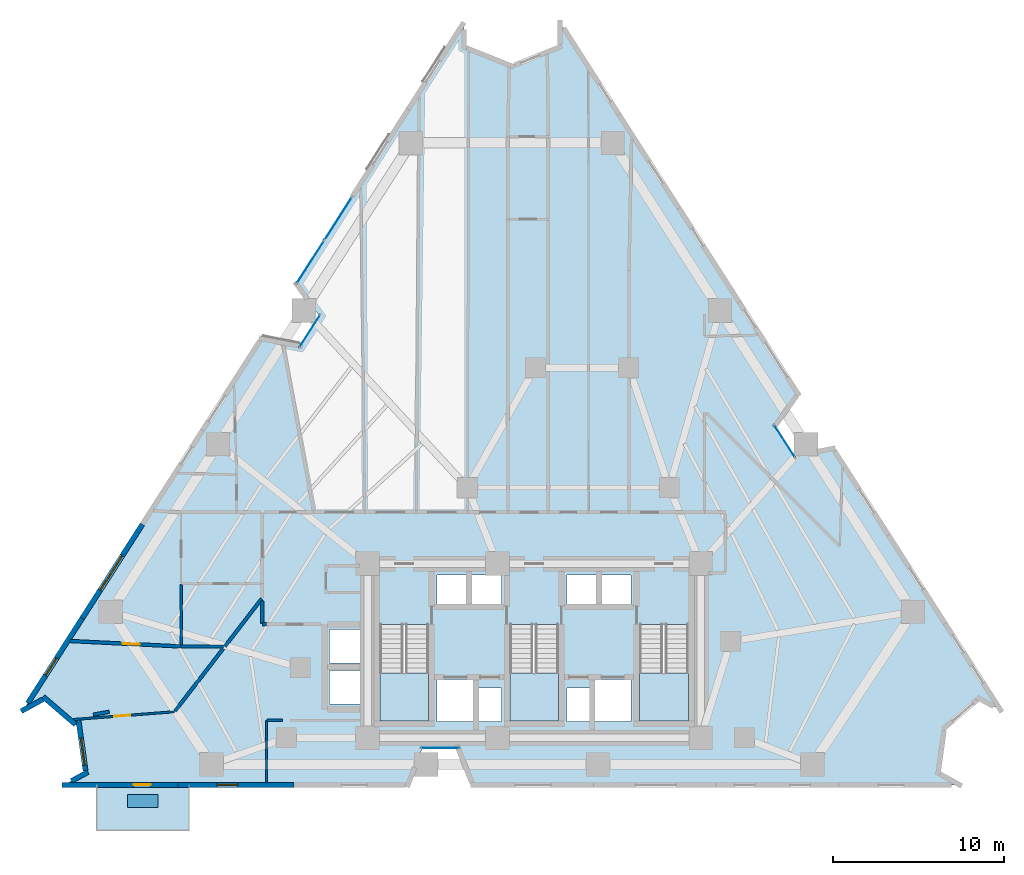
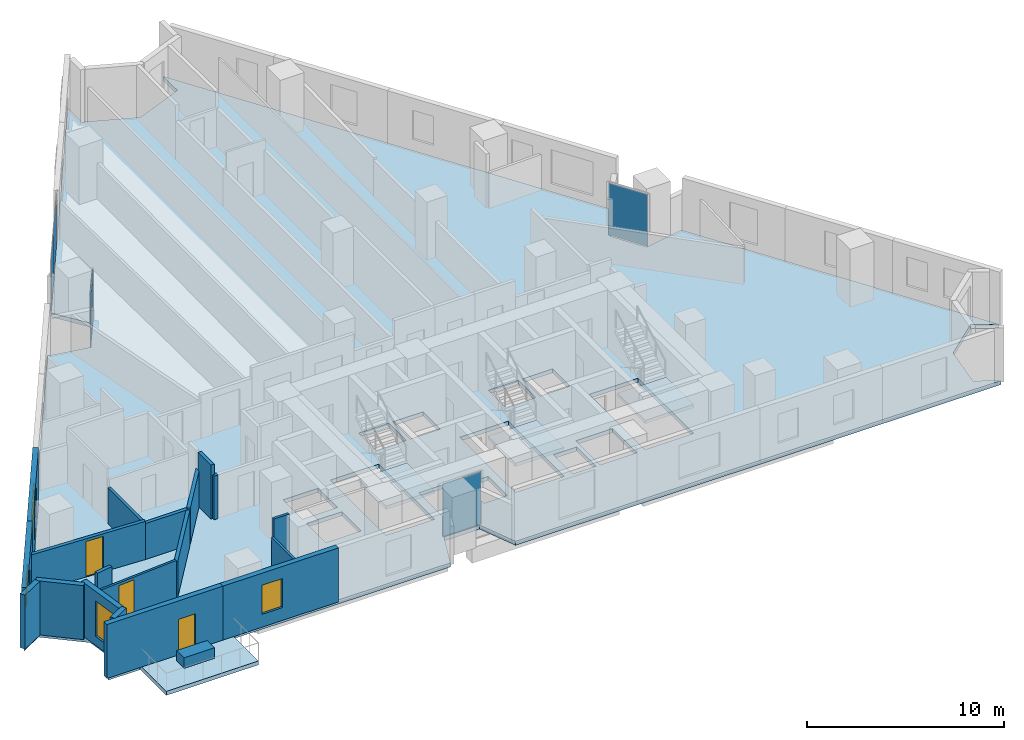
# One storey, part 7 of 15: 19 walls, 6 plates, 5 slabs, 4 windows, 3 doors, 7 openings, 7 elements without a shape of their own.
"""IFC4 building model written with IfcOpenShell, lengths in metres."""

import ifcopenshell
import ifcopenshell.guid

model = None  # the IFC model being written
_history = None  # IfcOwnerHistory: only IFC2X3 demands one
_inside = {}  # id of a spatial element -> (the spatial element, [elements in it])
_under = {}  # id of a project, library or spatial element -> (it, [spatial elements below it])
_declared = {}  # id of a project -> (the project, [libraries it declares])
_typed = {}  # id of a type object -> (the type object, [elements of that type])
_made_of = {}  # id of a material, layer set ... -> (it, [elements and type objects made of it])


def new_model(schema):
    """Start an empty IFC model of exactly this schema.

    Asked for "IFC4X3", IfcOpenShell would pick the latest addendum, in which some entities
    have other attributes; the version numbers below select the first issue.
    IFC2X3 requires an IfcOwnerHistory on every rooted entity: one is made here for all.
    """
    global model, _history
    if schema == "IFC4X3":
        model = ifcopenshell.file(schema_version=(4, 3, 0, 0))
    else:
        model = ifcopenshell.file(schema=schema)
    _inside.clear()
    _under.clear()
    _declared.clear()
    _typed.clear()
    _made_of.clear()
    _history = None
    if model.schema == "IFC2X3":
        org = make("IfcOrganization", Name="unknown")
        user = make(
            "IfcPersonAndOrganization",
            ThePerson=make("IfcPerson", FamilyName="unknown"),
            TheOrganization=org,
        )
        app = make(
            "IfcApplication",
            ApplicationDeveloper=org,
            Version="unknown",
            ApplicationFullName="unknown",
            ApplicationIdentifier="unknown",
        )
        _history = make(
            "IfcOwnerHistory",
            OwningUser=user,
            OwningApplication=app,
            ChangeAction="ADDED",
            CreationDate=0,
        )
    return model


def make(cls, **values):
    """One entity of the class cls with the attributes given. An attribute that is None is left unset."""
    return model.create_entity(
        cls, **{name: value for name, value in values.items() if value is not None}
    )


def rooted(cls, **values):
    """An entity with a GlobalId (a new one), such as an element, a storey or a relation."""
    return make(cls, GlobalId=ifcopenshell.guid.new(), OwnerHistory=_history, **values)


def si_unit(unit_type, name, prefix=None):
    """IfcSIUnit, for example si_unit("LENGTHUNIT", "METRE", prefix="MILLI")."""
    return make("IfcSIUnit", UnitType=unit_type, Prefix=prefix, Name=name)


def assignment(units):
    """IfcUnitAssignment: the units of a project."""
    return None if units is None else make("IfcUnitAssignment", Units=units)


def point(xyz):
    """IfcCartesianPoint."""
    return None if xyz is None else make("IfcCartesianPoint", Coordinates=xyz)


def direction(xyz):
    """IfcDirection."""
    return None if xyz is None else make("IfcDirection", DirectionRatios=xyz)


def frame(location, z_axis=None, x_axis=None):
    """IfcAxis2Placement3D, a coordinate frame: its origin and axes. An axis left out is left unset."""
    return make(
        "IfcAxis2Placement3D",
        Location=point(location),
        Axis=direction(z_axis),
        RefDirection=direction(x_axis),
    )


def frame_2d(location, x_axis=None):
    """IfcAxis2Placement2D, a coordinate frame in the plane: its origin and x axis."""
    return make(
        "IfcAxis2Placement2D", Location=point(location), RefDirection=direction(x_axis)
    )


def origin():
    """The frame at (0, 0, 0) with its axes left unset."""
    return frame((0.0, 0.0, 0.0))


def origin_2d():
    """The frame at (0, 0) in the plane with its x axis left unset."""
    return frame_2d((0.0, 0.0))


def place(relative_to, where):
    """IfcLocalPlacement: puts the frame where relative to a parent placement (None: the world)."""
    return make(
        "IfcLocalPlacement", PlacementRelTo=relative_to, RelativePlacement=where
    )


def context(
    kind, dimensions, precision=None, world=None, true_north=None, identifier=None
):
    """IfcGeometricRepresentationContext, for example the 3D "Model" context."""
    return make(
        "IfcGeometricRepresentationContext",
        ContextIdentifier=identifier,
        ContextType=kind,
        CoordinateSpaceDimension=dimensions,
        Precision=precision,
        WorldCoordinateSystem=world,
        TrueNorth=true_north,
    )


def subcontext(parent, identifier, kind, view, scale=None):
    """IfcGeometricRepresentationSubContext, for example "Body" below "Model"."""
    return make(
        "IfcGeometricRepresentationSubContext",
        ContextIdentifier=identifier,
        ContextType=kind,
        ParentContext=parent,
        TargetScale=scale,
        TargetView=view,
    )


def project(units=None, contexts=None):
    """IfcProject with its units and contexts."""
    return rooted(
        "IfcProject",
        Name="project",
        RepresentationContexts=contexts,
        UnitsInContext=assignment(units),
    )


def spatial(cls, under=None, at=None, **own):
    """A site, building, storey or space (cls), placed at a placement, below another one or the project."""
    s = rooted(cls, ObjectPlacement=at, **own)
    if under is not None:
        _under.setdefault(under.id(), (under, []))[1].append(s)
    return s


def polyline(points):
    """IfcPolyline through the points."""
    return make("IfcPolyline", Points=[point(p) for p in points])


def profile(cls, at=None, kind="AREA", **sizes):
    """A parametric profile (cls). Its sizes go by their IFC names, for example OverallWidth=200.0."""
    return make(cls, ProfileType=kind, Position=at, **sizes)


def rectangle(**sizes):
    """IfcRectangleProfileDef."""
    return profile("IfcRectangleProfileDef", **sizes)


def outline(outer, holes=None, kind="AREA"):
    """IfcArbitraryClosedProfileDef: a profile drawn as a closed curve; with holes, ...WithVoids."""
    if holes is None:
        return make("IfcArbitraryClosedProfileDef", ProfileType=kind, OuterCurve=outer)
    return make(
        "IfcArbitraryProfileDefWithVoids",
        ProfileType=kind,
        OuterCurve=outer,
        InnerCurves=holes,
    )


def extrude(swept, where, along, depth):
    """IfcExtrudedAreaSolid: the profile swept, set in the frame where, extruded along a direction by depth."""
    return make(
        "IfcExtrudedAreaSolid",
        SweptArea=swept,
        Position=where,
        ExtrudedDirection=direction(along),
        Depth=depth,
    )


def shape(context_of_items, identifier, shape_type, items):
    """IfcShapeRepresentation: the items that make up one representation, for example the "Body"."""
    return make(
        "IfcShapeRepresentation",
        ContextOfItems=context_of_items,
        RepresentationIdentifier=identifier,
        RepresentationType=shape_type,
        Items=items,
    )


def material(Name=None, Category=None):
    """IfcMaterial."""
    return make("IfcMaterial", Name=Name, Category=Category)


def layer(
    of_material, thickness, ventilated=None, Name=None, Category=None, Priority=None
):
    """IfcMaterialLayer: one layer of a wall or slab, of a material (None: an air gap)."""
    return make(
        "IfcMaterialLayer",
        Material=of_material,
        LayerThickness=thickness,
        IsVentilated=ventilated,
        Name=Name,
        Category=Category,
        Priority=Priority,
    )


def layer_set(layers, Name=None):
    """IfcMaterialLayerSet."""
    return make("IfcMaterialLayerSet", MaterialLayers=layers, LayerSetName=Name)


def made_of(thing, what):
    """Note that an element or type object is made of a material, layer set ...; save() writes the relation."""
    if what is not None:
        _made_of.setdefault(what.id(), (what, []))[1].append(thing)
    return thing


def type_object(cls, material=None, **own):
    """A type object (cls), such as IfcWallType, which elements share."""
    return made_of(rooted(cls, **own), material)


def element(
    cls,
    number,
    at=None,
    inside=None,
    cuts=None,
    type_object=None,
    material=None,
    context=None,
    identifier="Body",
    shape_type=None,
    held_by="IfcProductDefinitionShape",
    body=None,
    shapes=None,
    **own,
):
    """One element of the class cls, such as IfcWall. Its Tag is "e" and its number.

    at: its placement. inside: the storey or other place that contains it. cuts: it is an
    opening in that element (IfcRelVoidsElement). A single representation is given by context,
    identifier, shape_type and body (its items); several are given by shapes. held_by: the class
    of the entity that holds the representations. save() writes the other relations.
    """
    e = rooted(cls, Tag="e%d" % number, ObjectPlacement=at, **own)
    if body is not None:
        shapes = [shape(context, identifier, shape_type, body)]
    if shapes is not None:
        e.Representation = make(held_by, Representations=shapes)
    if inside is not None:
        _inside.setdefault(inside.id(), (inside, []))[1].append(e)
    if cuts is not None:
        rooted(
            "IfcRelVoidsElement", RelatingBuildingElement=cuts, RelatedOpeningElement=e
        )
    if type_object is not None:
        _typed.setdefault(type_object.id(), (type_object, []))[1].append(e)
    return made_of(e, material)


def fill(opening, filler):
    """IfcRelFillsElement: the door or window that sits in an opening."""
    return rooted(
        "IfcRelFillsElement",
        RelatingOpeningElement=opening,
        RelatedBuildingElement=filler,
    )


def aggregate(whole, parts):
    """IfcRelAggregates: a whole, such as a stair, and the parts it consists of."""
    return rooted("IfcRelAggregates", RelatingObject=whole, RelatedObjects=parts)


def save(model, path):
    """Write the relations noted so far, then the file.

    IfcRelAggregates (storeys below a building ...), IfcRelContainedInSpatialStructure (elements
    in a storey), IfcRelDefinesByType, IfcRelAssociatesMaterial and IfcRelDeclares: one each for
    every whole, place, type object, material and project.
    """
    for whole, parts in _under.values():
        aggregate(whole, parts)
    for where, things in _inside.values():
        rooted(
            "IfcRelContainedInSpatialStructure",
            RelatedElements=things,
            RelatingStructure=where,
        )
    for kind, things in _typed.values():
        rooted("IfcRelDefinesByType", RelatedObjects=things, RelatingType=kind)
    for what, things in _made_of.values():
        rooted("IfcRelAssociatesMaterial", RelatedObjects=things, RelatingMaterial=what)
    for by, libraries in _declared.values():
        rooted("IfcRelDeclares", RelatingContext=by, RelatedDefinitions=libraries)
    model.write(path)


model = new_model("IFC4")

# Units and contexts
model_context = context("Model", 3, precision=1e-05, world=origin(), true_north=direction((0.0, 1.0)))
body_context = subcontext(model_context, "Body", "Model", "MODEL_VIEW")
ifc_project = project(units=[si_unit("LENGTHUNIT", "METRE"), si_unit("AREAUNIT", "SQUARE_METRE"), si_unit("VOLUMEUNIT", "CUBIC_METRE"), si_unit("PLANEANGLEUNIT", "RADIAN"), si_unit("MASSUNIT", "GRAM", prefix="KILO")], contexts=[model_context])

# Site, building, storey
site_placement = place(None, origin())
site = spatial("IfcSite", under=ifc_project, at=site_placement, CompositionType="ELEMENT")
building_placement = place(site_placement, origin())
building = spatial("IfcBuilding", under=site, at=building_placement, Name="Almagre Mirador Tower", CompositionType="ELEMENT")
storey_placement = place(building_placement, frame((0.0, 0.0, 31.800048828125)))
storey = spatial("IfcBuildingStorey", under=building, at=storey_placement, Name="L06", CompositionType="ELEMENT", Elevation=31.800048828125)

# Curtain wall, plate
ifc_material_1 = material(Name="Black anodized aluminium", Category="aluminium")
ifc_layer_1 = layer(ifc_material_1, 0.169921875)
ifc_layer_set_1 = layer_set([ifc_layer_1], Name="Black anodized aluminium")
curtain_wall_type_1 = type_object("IfcCurtainWallType", Name="CW-CRS-SYS", PredefinedType="NOTDEFINED", material=ifc_layer_set_1)
curtain_wall_1_placement = place(storey_placement, origin())
curtain_wall_1 = element("IfcCurtainWall", 1, at=curtain_wall_1_placement, inside=storey, type_object=curtain_wall_type_1, Name="L06 vertical crease curtain wall 01", PredefinedType="NOTDEFINED")
ifc_material_2 = material(Name="Dark solar-control laminated hurricane glass", Category="glass")
ifc_layer_2 = layer(ifc_material_2, 0.028076171875)
ifc_layer_set_2 = layer_set([ifc_layer_2], Name="Dark solar-control laminated hurricane glass")
plate_type_1 = type_object("IfcPlateType", Name="PLT-GLZ-28", PredefinedType="CURTAIN_PANEL", material=ifc_layer_set_2)
plate_1_placement = place(storey_placement, frame((24.173095703125, 28.359619140625, 0.06005859375), z_axis=(0.0, 0.0, 1.0), x_axis=(0.539848636718, 0.841762109764, 0.0)))
plate_1 = element("IfcPlate", 2, at=plate_1_placement, type_object=plate_type_1, Name="CW-4 panel 1.1", PredefinedType="CURTAIN_PANEL", context=body_context, shape_type="SweptSolid", body=[
    extrude(rectangle(XDim=2.24951171875, YDim=0.028076171875, at=origin_2d()), origin(), (0.0, 0.0, 1.0), 3.22998046875),
])
aggregate(curtain_wall_1, [plate_1])

curtain_wall_2_placement = place(storey_placement, origin())
curtain_wall_2 = element("IfcCurtainWall", 3, at=curtain_wall_2_placement, inside=storey, type_object=curtain_wall_type_1, Name="L06 vertical crease curtain wall 03", PredefinedType="NOTDEFINED")
plate_2_placement = place(storey_placement, frame((51.952880859375, 21.92041015625, 0.06005859375), z_axis=(0.0, 0.0, 1.0), x_axis=(0.539848636718, -0.841762109764, 0.0)))
plate_2 = element("IfcPlate", 4, at=plate_2_placement, type_object=plate_type_1, Name="CW-4 panel 1.1", PredefinedType="CURTAIN_PANEL", context=body_context, shape_type="SweptSolid", body=[
    extrude(rectangle(XDim=2.24951171875, YDim=0.028076171875, at=origin_2d()), origin(), (0.0, 0.0, 1.0), 3.22998046875),
])
aggregate(curtain_wall_2, [plate_2])

curtain_wall_3_placement = place(storey_placement, origin())
curtain_wall_3 = element("IfcCurtainWall", 5, at=curtain_wall_3_placement, inside=storey, type_object=curtain_wall_type_1, Name="L06 vertical crease curtain wall 04", PredefinedType="NOTDEFINED")
plate_3_placement = place(storey_placement, frame((31.80810546875, 3.949951171875, 0.06005859375), z_axis=(0.0, 0.0, 1.0), x_axis=(-1.0, 0.0, 0.0)))
plate_3 = element("IfcPlate", 6, at=plate_3_placement, type_object=plate_type_1, Name="CW-4 panel 1.1", PredefinedType="CURTAIN_PANEL", context=body_context, shape_type="SweptSolid", body=[
    extrude(rectangle(XDim=2.25, YDim=0.028076171875, at=origin_2d()), origin(), (0.0, 0.0, 1.0), 3.22998046875),
])
aggregate(curtain_wall_3, [plate_3])

# Curtain wall, plates
ifc_material_3 = material(Name="Black anodized aluminium", Category="aluminium")
ifc_layer_3 = layer(ifc_material_3, 0.18994140625)
ifc_layer_set_3 = layer_set([ifc_layer_3], Name="Black anodized aluminium")
curtain_wall_type_2 = type_object("IfcCurtainWallType", Name="CW-RES-L-SYS", PredefinedType="NOTDEFINED", material=ifc_layer_set_3)
curtain_wall_4_placement = place(storey_placement, origin())
curtain_wall_4 = element("IfcCurtainWall", 7, at=curtain_wall_4_placement, inside=storey, type_object=curtain_wall_type_2, Name="L06 curtain wall run 02", PredefinedType="NOTDEFINED")
ifc_material_4 = material(Name="Dark solar-control laminated hurricane glass", Category="glass")
ifc_layer_4 = layer(ifc_material_4, 0.031982421875)
ifc_layer_set_4 = layer_set([ifc_layer_4], Name="Dark solar-control laminated hurricane glass")
plate_type_2 = type_object("IfcPlateType", Name="PLT-GLZ-32", PredefinedType="CURTAIN_PANEL", material=ifc_layer_set_4)
plate_4_placement = place(storey_placement, frame((24.2138671875, 32.407958984375, 0.06005859375), z_axis=(0.0, 0.0, 1.0), x_axis=(0.539529022287, 0.841967002982, 0.0)))
plate_4 = element("IfcPlate", 8, at=plate_4_placement, type_object=plate_type_2, Name="CW-2 panel 1.1", PredefinedType="CURTAIN_PANEL", context=body_context, shape_type="SweptSolid", body=[
    extrude(rectangle(XDim=2.931640625, YDim=0.031982421875, at=origin_2d()), origin(), (0.0, 0.0, 1.0), 3.22998046875),
])
plate_5_placement = place(storey_placement, frame((25.830810546875, 34.93115234375, 0.06005859375), z_axis=(0.0, 0.0, 1.0), x_axis=(0.539529022287, 0.841967002982, 0.0)))
plate_5 = element("IfcPlate", 9, at=plate_5_placement, type_object=plate_type_2, Name="CW-2 panel 2.1", PredefinedType="CURTAIN_PANEL", context=body_context, shape_type="SweptSolid", body=[
    extrude(rectangle(XDim=2.931640625, YDim=0.031982421875, at=origin_2d()), origin(), (0.0, 0.0, 1.0), 3.22998046875),
])
aggregate(curtain_wall_4, [plate_4, plate_5])

# Plate
ifc_material_5 = material(Name="Precast concrete C50/60", Category="concrete")
ifc_layer_5 = layer(ifc_material_5, 0.64990234375)
ifc_layer_set_5 = layer_set([ifc_layer_5], Name="Precast concrete C50/60")
plate_type_3 = type_object("IfcPlateType", Name="PLT-PLANTER-1800", PredefinedType="USERDEFINED", material=ifc_layer_set_5)
plate_6_placement = place(storey_placement, frame((14.39990234375, 0.85009765625, 0.0), z_axis=(0.0, 0.0, 1.0), x_axis=(1.0, 0.0, 0.0)))
element("IfcPlate", 10, at=plate_6_placement, inside=storey, type_object=plate_type_3, Name="L06 south balcony structural tree planter 1", ObjectType="PLANTER", PredefinedType="USERDEFINED", context=body_context, shape_type="SweptSolid", body=[
    extrude(rectangle(XDim=1.800048828125, YDim=0.75, at=origin_2d()), origin(), (0.0, 0.0, 1.0), 0.64990234375),
])

# Slabs
ifc_material_6 = material(Name="Concrete C45/55", Category="concrete")
ifc_layer_6 = layer(ifc_material_6, 0.239990234375)
ifc_layer_set_6 = layer_set([ifc_layer_6], Name="Concrete C45/55")
slab_type_1 = type_object("IfcSlabType", Name="SLB-BAL-240", PredefinedType="USERDEFINED", material=ifc_layer_set_6)
slab_1_placement = place(storey_placement, frame((0.0, 0.0, -0.239990234375)))
element("IfcSlab", 11, at=slab_1_placement, inside=storey, type_object=slab_type_1, Name="L06 south planted tree balcony 1", ObjectType="BALCONY", PredefinedType="USERDEFINED", context=body_context, shape_type="SweptSolid", body=[
    extrude(outline(polyline([(11.699951171875, 1.820068359375), (17.10009765625, 1.820068359375), (17.10009765625, -0.85009765625), (11.699951171875, -0.85009765625), (11.699951171875, 1.820068359375)])), origin(), (0.0, 0.0, 1.0), 0.239990234375),
])
ifc_material_7 = material(Name="Concrete C45/55", Category="concrete")
ifc_layer_7 = layer(ifc_material_7, 0.25)
ifc_layer_set_7 = layer_set([ifc_layer_7], Name="Concrete C45/55")
slab_type_2 = type_object("IfcSlabType", Name="SLB-FLR-250", PredefinedType="FLOOR", material=ifc_layer_set_7)
slab_2_placement = place(storey_placement, frame((0.0, 0.0, -0.25)))
element("IfcSlab", 12, at=slab_2_placement, inside=storey, type_object=slab_type_2, Name="L06 structural floor slab", PredefinedType="FLOOR", context=body_context, shape_type="SweptSolid", body=[
    extrude(outline(polyline([(7.406005859375, 6.177978515625), (8.6689453125, 6.868896484375), (10.69189453125, 5.132080078125), (11.06298828125, 2.490966796875), (9.800048828125, 1.800048828125), (29.907958984375, 1.800048828125), (30.762939453125, 3.949951171875), (32.85302734375, 3.949951171875), (33.7080078125, 1.800048828125), (62.199951171875, 1.800048828125), (60.93701171875, 2.490966796875), (61.30810546875, 5.132080078125), (63.3310546875, 6.868896484375), (64.593994140625, 6.177978515625), (54.7880859375, 21.48095703125), (52.51708984375, 21.041015625), (51.388916015625, 22.800048828125), (52.738037109375, 24.679931640625), (38.805908203125, 46.422119140625), (38.805908203125, 44.98193359375), (36.0, 43.85595703125), (33.194091796875, 44.98193359375), (33.194091796875, 46.422119140625), (23.387939453125, 31.118896484375), (24.737060546875, 29.239013671875), (23.60888671875, 27.47998046875), (21.337890625, 27.919921875), (7.406005859375, 6.177978515625)]), holes=[polyline([(43.47509765625, 11.196044921875), (46.324951171875, 11.196044921875), (46.324951171875, 5.550048828125), (43.47509765625, 5.550048828125), (43.47509765625, 11.196044921875)]), polyline([(40.820068359375, 5.52001953125), (40.820068359375, 7.97998046875), (42.97998046875, 7.97998046875), (42.97998046875, 5.52001953125), (40.820068359375, 5.52001953125)]), polyline([(41.219970703125, 12.320068359375), (41.219970703125, 14.080078125), (42.97998046875, 14.080078125), (42.97998046875, 12.320068359375), (41.219970703125, 12.320068359375)]), polyline([(39.219970703125, 12.320068359375), (39.219970703125, 14.080078125), (40.97998046875, 14.080078125), (40.97998046875, 12.320068359375), (39.219970703125, 12.320068359375)]), polyline([(39.219970703125, 5.52001953125), (39.219970703125, 7.47998046875), (40.580078125, 7.47998046875), (40.580078125, 5.52001953125), (39.219970703125, 5.52001953125)]), polyline([(35.875, 11.196044921875), (38.72509765625, 11.196044921875), (38.72509765625, 5.550048828125), (35.875, 5.550048828125), (35.875, 11.196044921875)]), polyline([(35.3798828125, 5.52001953125), (34.02001953125, 5.52001953125), (34.02001953125, 7.47998046875), (35.3798828125, 7.47998046875), (35.3798828125, 5.52001953125)]), polyline([(35.3798828125, 12.320068359375), (33.6201171875, 12.320068359375), (33.6201171875, 14.080078125), (35.3798828125, 14.080078125), (35.3798828125, 12.320068359375)]), polyline([(31.6201171875, 5.52001953125), (31.6201171875, 7.97998046875), (33.780029296875, 7.97998046875), (33.780029296875, 5.52001953125), (31.6201171875, 5.52001953125)]), polyline([(31.6201171875, 12.320068359375), (31.6201171875, 14.080078125), (33.3798828125, 14.080078125), (33.3798828125, 12.320068359375), (31.6201171875, 12.320068359375)]), polyline([(28.27490234375, 5.550048828125), (28.27490234375, 11.196044921875), (31.125, 11.196044921875), (31.125, 5.550048828125), (28.27490234375, 5.550048828125)]), polyline([(25.320068359375, 6.52001953125), (25.320068359375, 8.47998046875), (27.3798828125, 8.47998046875), (27.3798828125, 6.52001953125), (25.320068359375, 6.52001953125)]), polyline([(25.320068359375, 8.919921875), (25.320068359375, 10.8798828125), (27.3798828125, 10.8798828125), (27.3798828125, 8.919921875), (25.320068359375, 8.919921875)])]), origin(), (0.0, 0.0, 1.0), 0.25),
])

# Stair, slab
ifc_material_8 = material(Name="Concrete C45/55", Category="concrete")
stair_type = type_object("IfcStairType", Name="STR-DL-3600", PredefinedType="HALF_TURN_STAIR", material=ifc_material_8)
stair_1_placement = place(storey_placement, origin())
stair_1 = element("IfcStair", 13, at=stair_1_placement, inside=storey, type_object=stair_type, Name="L06 Protected exit stair ST-1", PredefinedType="HALF_TURN_STAIR")
ifc_material_9 = material(Name="Concrete C45/55", Category="concrete")
ifc_layer_8 = layer(ifc_material_9, 0.199951171875)
ifc_layer_set_8 = layer_set([ifc_layer_8], Name="Concrete C45/55")
slab_type_3 = type_object("IfcSlabType", Name="SLB-LND-200", PredefinedType="LANDING", material=ifc_layer_set_8)
slab_3_placement = place(storey_placement, frame((0.0, 0.0, 1.599853515625)))
slab_3 = element("IfcSlab", 14, at=slab_3_placement, type_object=slab_type_3, Name="ST-1 landing 1", PredefinedType="LANDING", context=body_context, shape_type="SweptSolid", body=[
    extrude(outline(polyline([(28.27490234375, 8.35009765625), (28.27490234375, 5.550048828125), (31.125, 5.550048828125), (31.125, 8.35009765625), (28.27490234375, 8.35009765625)])), origin(), (0.0, 0.0, 1.0), 0.2001953125),
])
aggregate(stair_1, [slab_3])

stair_2_placement = place(storey_placement, origin())
stair_2 = element("IfcStair", 15, at=stair_2_placement, inside=storey, type_object=stair_type, Name="L06 Protected exit stair ST-2", PredefinedType="HALF_TURN_STAIR")
slab_4_placement = place(storey_placement, frame((0.0, 0.0, 1.599853515625)))
slab_4 = element("IfcSlab", 16, at=slab_4_placement, type_object=slab_type_3, Name="ST-2 landing 1", PredefinedType="LANDING", context=body_context, shape_type="SweptSolid", body=[
    extrude(outline(polyline([(35.875, 8.35009765625), (35.875, 5.550048828125), (38.72509765625, 5.550048828125), (38.72509765625, 8.35009765625), (35.875, 8.35009765625)])), origin(), (0.0, 0.0, 1.0), 0.2001953125),
])
aggregate(stair_2, [slab_4])

stair_3_placement = place(storey_placement, origin())
stair_3 = element("IfcStair", 17, at=stair_3_placement, inside=storey, type_object=stair_type, Name="L06 Protected exit stair ST-3", PredefinedType="HALF_TURN_STAIR")
slab_5_placement = place(storey_placement, frame((0.0, 0.0, 1.599853515625)))
slab_5 = element("IfcSlab", 18, at=slab_5_placement, type_object=slab_type_3, Name="ST-3 landing 1", PredefinedType="LANDING", context=body_context, shape_type="SweptSolid", body=[
    extrude(outline(polyline([(43.47509765625, 8.35009765625), (43.47509765625, 5.550048828125), (46.324951171875, 5.550048828125), (46.324951171875, 8.35009765625), (43.47509765625, 8.35009765625)])), origin(), (0.0, 0.0, 1.0), 0.2001953125),
])
aggregate(stair_3, [slab_5])

# Wall, opening, window
ifc_material_10 = material(Name="Precast concrete C50/60", Category="concrete")
ifc_layer_9 = layer(ifc_material_10, 0.300048828125)
ifc_layer_set_9 = layer_set([ifc_layer_9], Name="Precast concrete C50/60")
wall_type_1 = type_object("IfcWallType", Name="WAL-EXT-300", PredefinedType="SOLIDWALL", material=ifc_layer_set_9)
wall_1_placement = place(storey_placement, frame((23.251953125, 1.800048828125, 0.0), z_axis=(0.0, 0.0, 1.0), x_axis=(-1.0, 0.0, 0.0)))
wall_1 = element("IfcWall", 19, at=wall_1_placement, inside=storey, type_object=wall_type_1, Name="L06 expressed almagre precast frame wall 29", PredefinedType="SOLIDWALL", context=body_context, shape_type="SweptSolid", body=[
    extrude(rectangle(XDim=6.7958984375, YDim=0.300048828125, at=frame_2d((3.39794921875, 0.0))), origin(), (0.0, 0.0, 1.0), 3.349853515625),
])
opening_1_placement = place(wall_1_placement, frame((3.300048828125, 0.0, 0.800048828125)))
opening_1 = element("IfcOpeningElement", 20, at=opening_1_placement, cuts=wall_1, Name="Opening WN-04", PredefinedType="OPENING", context=body_context, shape_type="SweptSolid", body=[
    extrude(rectangle(XDim=1.199951171875, YDim=1.800048828125, at=frame_2d((0.60009765625, 0.89990234375))), frame((0.0, 0.159902, 0.0), z_axis=(0.0, -1.0, 0.0), x_axis=(1.0, 0.0, 0.0)), (0.0, 0.0, 1.0), 0.320049),
])
ifc_material_11 = material(Name="Dark solar-control laminated hurricane glass", Category="glass")
window_type_1 = type_object("IfcWindowType", Name="WIN-1200X1800", PartitioningType="SINGLE_PANEL", PredefinedType="WINDOW", material=ifc_material_11)
window_1_placement = place(opening_1_placement, origin())
window_1 = element("IfcWindow", 21, at=window_1_placement, inside=storey, type_object=window_type_1, Name="L06 recessed hurricane window L06-UB-ST", OverallHeight=1.800048828125, OverallWidth=1.199951171875, PartitioningType="SINGLE_PANEL", PredefinedType="WINDOW", context=body_context, shape_type="SweptSolid", body=[
    extrude(rectangle(XDim=1.199951171875, YDim=1.800048828125, at=frame_2d((0.60009765625, 0.89990234375))), frame((0.0, 0.030029296875, 0.0), z_axis=(0.0, -1.0, 0.0), x_axis=(1.0, 0.0, 0.0)), (0.0, 0.0, 1.0), 0.06005859375),
])
fill(opening_1, window_1)

# Wall, opening, door
wall_2_placement = place(storey_placement, frame((16.4560546875, 1.800048828125, 0.0), z_axis=(0.0, 0.0, 1.0), x_axis=(-1.0, 0.0, 0.0)))
wall_2 = element("IfcWall", 22, at=wall_2_placement, inside=storey, type_object=wall_type_1, Name="L06 expressed almagre precast frame wall 30", PredefinedType="SOLIDWALL", context=body_context, shape_type="SweptSolid", body=[
    extrude(rectangle(XDim=6.796142578125, YDim=0.300048828125, at=frame_2d((3.39794921875, 0.0))), origin(), (0.0, 0.0, 1.0), 3.349853515625),
])
opening_2_placement = place(wall_2_placement, frame((1.597412109375, 0.0, 0.0)))
opening_2 = element("IfcOpeningElement", 23, at=opening_2_placement, cuts=wall_2, Name="Opening BD-01", PredefinedType="OPENING", context=body_context, shape_type="SweptSolid", body=[
    extrude(rectangle(XDim=1.0, YDim=2.199951171875, at=frame_2d((0.5, 1.10009765625))), frame((0.0, 0.159902, 0.0), z_axis=(0.0, -1.0, 0.0), x_axis=(1.0, 0.0, 0.0)), (0.0, 0.0, 1.0), 0.320049),
])
ifc_material_12 = material(Name="Black anodized aluminium and laminated glass", Category="aluminium")
door_type_1 = type_object("IfcDoorType", Name="DOR-BAL-1000X2200", OperationType="NOTDEFINED", PredefinedType="DOOR", material=ifc_material_12)
door_1_placement = place(opening_2_placement, origin())
door_1 = element("IfcDoor", 24, at=door_1_placement, inside=storey, type_object=door_type_1, Name="DR-0174 L06 south balcony glazed door 1", OperationType="SINGLE_SWING_RIGHT", OverallHeight=2.199951171875, OverallWidth=1.0, PredefinedType="DOOR", context=body_context, shape_type="SweptSolid", body=[
    extrude(rectangle(XDim=1.0, YDim=2.199951171875, at=frame_2d((0.5, 1.10009765625))), frame((0.0, 0.02490234375, 0.0), z_axis=(0.0, -1.0, 0.0), x_axis=(1.0, 0.0, 0.0)), (0.0, 0.0, 1.0), 0.050048828125),
])
fill(opening_2, door_1)

# Wall
wall_3_placement = place(storey_placement, frame((10.22119140625, 2.030517578125, 0.0), z_axis=(0.0, 0.0, 1.0), x_axis=(0.877343386297, 0.479863087266, 0.0)))
element("IfcWall", 25, at=wall_3_placement, inside=storey, type_object=wall_type_1, Name="L06 expressed almagre precast frame wall 31", PredefinedType="SOLIDWALL", context=body_context, shape_type="SweptSolid", body=[
    extrude(rectangle(XDim=1.099365234375, YDim=0.300048828125, at=frame_2d((0.5498046875, 0.0))), origin(), (0.0, 0.0, 1.0), 3.349853515625),
])

# Wall, opening, window
wall_4_placement = place(storey_placement, frame((11.044189453125, 2.624755859375, 0.0), z_axis=(0.0, 0.0, 1.0), x_axis=(-0.139123594989, 0.99027502509, 0.0)))
wall_4 = element("IfcWall", 26, at=wall_4_placement, inside=storey, type_object=wall_type_1, Name="L06 expressed almagre precast frame wall 32", PredefinedType="SOLIDWALL", context=body_context, shape_type="SweptSolid", body=[
    extrude(rectangle(XDim=3.0498046875, YDim=0.300048828125, at=frame_2d((1.52490234375, 0.0))), origin(), (0.0, 0.0, 1.0), 3.349853515625),
])
opening_3_placement = place(wall_4_placement, frame((0.324951171875, 0.0, 0.550048828125)))
opening_3 = element("IfcOpeningElement", 27, at=opening_3_placement, cuts=wall_4, Name="Opening WN-06", PredefinedType="OPENING", context=body_context, shape_type="SweptSolid", body=[
    extrude(rectangle(XDim=1.60009765625, YDim=2.199951171875, at=frame_2d((0.800048828125, 1.10009765625))), frame((0.0, 0.159902, 0.0), z_axis=(0.0, -1.0, 0.0), x_axis=(1.0, 0.0, 0.0)), (0.0, 0.0, 1.0), 0.320049),
])
ifc_material_13 = material(Name="Dark solar-control laminated hurricane glass", Category="glass")
window_type_2 = type_object("IfcWindowType", Name="WIN-1600X2200", PartitioningType="DOUBLE_PANEL_VERTICAL", PredefinedType="WINDOW", material=ifc_material_13)
window_2_placement = place(opening_3_placement, origin())
window_2 = element("IfcWindow", 28, at=window_2_placement, inside=storey, type_object=window_type_2, Name="L06 recessed hurricane window L06-UA-KT", OverallHeight=2.199951171875, OverallWidth=1.60009765625, PartitioningType="SINGLE_PANEL", PredefinedType="WINDOW", context=body_context, shape_type="SweptSolid", body=[
    extrude(rectangle(XDim=1.60009765625, YDim=2.199951171875, at=frame_2d((0.800048828125, 1.10009765625))), frame((0.0, 0.030029296875, 0.0), z_axis=(0.0, -1.0, 0.0), x_axis=(1.0, 0.0, 0.0)), (0.0, 0.0, 1.0), 0.06005859375),
])
fill(opening_3, window_2)

# Walls
wall_5_placement = place(storey_placement, frame((10.456787109375, 5.333984375, 0.0), z_axis=(0.0, 0.0, 1.0), x_axis=(-0.758710972352, 0.651427402273, 0.0)))
element("IfcWall", 29, at=wall_5_placement, inside=storey, type_object=wall_type_1, Name="L06 expressed almagre precast frame wall 33", PredefinedType="SOLIDWALL", context=body_context, shape_type="SweptSolid", body=[
    extrude(rectangle(XDim=2.496337890625, YDim=0.300048828125, at=frame_2d((1.248046875, 0.0))), origin(), (0.0, 0.0, 1.0), 3.349853515625),
])
wall_6_placement = place(storey_placement, frame((8.550537109375, 6.80419921875, 0.0), z_axis=(0.0, 0.0, 1.0), x_axis=(-0.877287752989, -0.479964788767, 0.0)))
element("IfcWall", 30, at=wall_6_placement, inside=storey, type_object=wall_type_1, Name="L06 expressed almagre precast frame wall 34", PredefinedType="SOLIDWALL", context=body_context, shape_type="SweptSolid", body=[
    extrude(rectangle(XDim=1.444580078125, YDim=0.300048828125, at=frame_2d((0.72216796875, 0.0))), origin(), (0.0, 0.0, 1.0), 3.349853515625),
])

# Wall, opening, window
wall_7_placement = place(storey_placement, frame((7.667724609375, 6.586181640625, 0.0), z_axis=(0.0, 0.0, 1.0), x_axis=(0.539504449159, 0.841982748836, 0.0)))
wall_7 = element("IfcWall", 31, at=wall_7_placement, inside=storey, type_object=wall_type_1, Name="L06 expressed almagre precast frame wall 35", PredefinedType="SOLIDWALL", context=body_context, shape_type="SweptSolid", body=[
    extrude(rectangle(XDim=5.90087890625, YDim=0.300048828125, at=frame_2d((2.950439453125, 0.0))), origin(), (0.0, 0.0, 1.0), 3.349853515625),
])
opening_4_placement = place(wall_7_placement, frame((1.925048828125, 0.0, 0.800048828125)))
opening_4 = element("IfcOpeningElement", 32, at=opening_4_placement, cuts=wall_7, Name="Opening WN-04", PredefinedType="OPENING", context=body_context, shape_type="SweptSolid", body=[
    extrude(rectangle(XDim=1.199951171875, YDim=1.800048828125, at=frame_2d((0.60009765625, 0.89990234375))), frame((0.0, 0.159902, 0.0), z_axis=(0.0, -1.0, 0.0), x_axis=(1.0, 0.0, 0.0)), (0.0, 0.0, 1.0), 0.320049),
])
window_3_placement = place(opening_4_placement, origin())
window_3 = element("IfcWindow", 33, at=window_3_placement, inside=storey, type_object=window_type_1, Name="L06 recessed hurricane window L06-UA-BT", OverallHeight=1.800048828125, OverallWidth=1.199951171875, PartitioningType="SINGLE_PANEL", PredefinedType="WINDOW", context=body_context, shape_type="SweptSolid", body=[
    extrude(rectangle(XDim=1.199951171875, YDim=1.800048828125, at=frame_2d((0.60009765625, 0.89990234375))), frame((0.0, 0.030029296875, 0.0), z_axis=(0.0, -1.0, 0.0), x_axis=(1.0, 0.0, 0.0)), (0.0, 0.0, 1.0), 0.06005859375),
])
fill(opening_4, window_3)

wall_8_placement = place(storey_placement, frame((10.851318359375, 11.5546875, 0.0), z_axis=(0.0, 0.0, 1.0), x_axis=(0.539526045631, 0.841968910403, 0.0)))
wall_8 = element("IfcWall", 34, at=wall_8_placement, inside=storey, type_object=wall_type_1, Name="L06 expressed almagre precast frame wall 36", PredefinedType="SOLIDWALL", context=body_context, shape_type="SweptSolid", body=[
    extrude(rectangle(XDim=6.525634765625, YDim=0.300048828125, at=frame_2d((3.2626953125, 0.0))), origin(), (0.0, 0.0, 1.0), 3.349853515625),
])
opening_5_placement = place(wall_8_placement, frame((1.949951171875, 0.0, 0.60009765625)))
opening_5 = element("IfcOpeningElement", 35, at=opening_5_placement, cuts=wall_8, Name="Opening WN-02", PredefinedType="OPENING", context=body_context, shape_type="SweptSolid", body=[
    extrude(rectangle(XDim=2.39990234375, YDim=2.10009765625, at=frame_2d((1.199951171875, 1.050048828125))), frame((0.0, 0.159902, 0.0), z_axis=(0.0, -1.0, 0.0), x_axis=(1.0, 0.0, 0.0)), (0.0, 0.0, 1.0), 0.320049),
])
ifc_material_14 = material(Name="Dark solar-control laminated hurricane glass", Category="glass")
window_type_3 = type_object("IfcWindowType", Name="WIN-2400X2100", PartitioningType="TRIPLE_PANEL_VERTICAL", PredefinedType="WINDOW", material=ifc_material_14)
window_4_placement = place(opening_5_placement, origin())
window_4 = element("IfcWindow", 36, at=window_4_placement, inside=storey, type_object=window_type_3, Name="L06 recessed hurricane window L06-UE-KT", OverallHeight=2.10009765625, OverallWidth=2.39990234375, PartitioningType="SINGLE_PANEL", PredefinedType="WINDOW", context=body_context, shape_type="SweptSolid", body=[
    extrude(rectangle(XDim=2.39990234375, YDim=2.10009765625, at=frame_2d((1.199951171875, 1.050048828125))), frame((0.0, 0.030029296875, 0.0), z_axis=(0.0, -1.0, 0.0), x_axis=(1.0, 0.0, 0.0)), (0.0, 0.0, 1.0), 0.06005859375),
])
fill(opening_5, window_4)

# Wall, opening, door
ifc_material_15 = material(Name="Gypsum acoustic stud partition", Category="other")
ifc_layer_10 = layer(ifc_material_15, 0.125)
ifc_layer_set_10 = layer_set([ifc_layer_10], Name="Gypsum acoustic stud partition")
wall_type_2 = type_object("IfcWallType", Name="WAL-PRT-125-UTL", PredefinedType="PARTITIONING", material=ifc_layer_set_10)
wall_9_placement = place(storey_placement, frame((10.302001953125, 5.6220703125, 0.0), z_axis=(0.0, 0.0, 1.0), x_axis=(0.997048464094, 0.076774737046, 0.0)))
wall_9 = element("IfcWall", 37, at=wall_9_placement, inside=storey, type_object=wall_type_2, Name="L06 interior partition 020", PredefinedType="PARTITIONING", context=body_context, shape_type="SweptSolid", body=[
    extrude(rectangle(XDim=5.965576171875, YDim=0.125, at=frame_2d((2.98291015625, 0.0))), origin(), (0.0, 0.0, 1.0), 2.369873046875),
])
opening_6_placement = place(wall_9_placement, frame((2.4208984375, 0.0, 0.0)))
opening_6 = element("IfcOpeningElement", 38, at=opening_6_placement, cuts=wall_9, Name="Opening UD-01", PredefinedType="OPENING", context=body_context, shape_type="SweptSolid", body=[
    extrude(rectangle(XDim=0.949951171875, YDim=2.199951171875, at=frame_2d((0.47509765625, 1.10009765625))), frame((0.0, 0.0725, 0.0), z_axis=(0.0, -1.0, 0.0), x_axis=(1.0, 0.0, 0.0)), (0.0, 0.0, 1.0), 0.145),
])
ifc_material_16 = material(Name="Solid American walnut timber", Category="wood")
door_type_2 = type_object("IfcDoorType", Name="DOR-UNR-950X2200", OperationType="NOTDEFINED", PredefinedType="DOOR", material=ifc_material_16)
door_2_placement = place(opening_6_placement, origin())
door_2 = element("IfcDoor", 39, at=door_2_placement, inside=storey, type_object=door_type_2, Name="DR-0186 L06 interior door L06-UA-ST to L06-UA-KT", OperationType="SINGLE_SWING_RIGHT", OverallHeight=2.199951171875, OverallWidth=0.949951171875, PredefinedType="DOOR", context=body_context, shape_type="SweptSolid", body=[
    extrude(rectangle(XDim=0.949951171875, YDim=2.199951171875, at=frame_2d((0.47509765625, 1.10009765625))), frame((0.0, 0.02490234375, 0.0), z_axis=(0.0, -1.0, 0.0), x_axis=(1.0, 0.0, 0.0)), (0.0, 0.0, 1.0), 0.050048828125),
])
fill(opening_6, door_2)

# Walls
wall_10_placement = place(storey_placement, frame((21.6298828125, 1.89990234375, 0.0), z_axis=(0.0, 0.0, 1.0), x_axis=(0.0, 1.0, 0.0)))
element("IfcWall", 40, at=wall_10_placement, inside=storey, type_object=wall_type_2, Name="L06 interior partition 027", PredefinedType="PARTITIONING", context=body_context, shape_type="SweptSolid", body=[
    extrude(rectangle(XDim=3.670166015625, YDim=0.125, at=frame_2d((1.8349609375, 0.0))), origin(), (0.0, 0.0, 1.0), 2.22802734375),
])
ifc_material_17 = material(Name="Gypsum acoustic stud partition", Category="other")
ifc_layer_11 = layer(ifc_material_17, 0.14990234375)
ifc_layer_set_11 = layer_set([ifc_layer_11], Name="Gypsum acoustic stud partition")
wall_type_3 = type_object("IfcWallType", Name="WAL-PRT-150-STD", PredefinedType="PARTITIONING", material=ifc_layer_set_11)
wall_11_placement = place(storey_placement, frame((21.677490234375, 5.570068359375, 0.0), z_axis=(0.0, 0.0, 1.0), x_axis=(1.0, 0.0, 0.0)))
element("IfcWall", 41, at=wall_11_placement, inside=storey, type_object=wall_type_3, Name="L06 interior partition 029", PredefinedType="PARTITIONING", context=body_context, shape_type="SweptSolid", body=[
    extrude(rectangle(XDim=0.902587890625, YDim=0.14990234375, at=frame_2d((0.451171875, 0.0))), origin(), (0.0, 0.0, 1.0), 3.349853515625),
])
wall_12_placement = place(storey_placement, frame((16.639892578125, 13.52001953125, 0.0), z_axis=(0.0, 0.0, 1.0), x_axis=(0.0, -1.0, 0.0)))
element("IfcWall", 42, at=wall_12_placement, inside=storey, type_object=wall_type_3, Name="L06 interior partition 037", PredefinedType="PARTITIONING", context=body_context, shape_type="SweptSolid", body=[
    extrude(rectangle(XDim=3.534912109375, YDim=0.14990234375, at=frame_2d((1.767578125, 0.0))), origin(), (0.0, 0.0, 1.0), 2.22802734375),
])
ifc_material_18 = material(Name="Gypsum acoustic stud partition", Category="other")
ifc_layer_12 = layer(ifc_material_18, 0.199951171875)
ifc_layer_set_12 = layer_set([ifc_layer_12], Name="Gypsum acoustic stud partition")
wall_type_4 = type_object("IfcWallType", Name="WAL-PRT-200-EI60", PredefinedType="PARTITIONING", material=ifc_layer_set_12)
wall_13_placement = place(storey_placement, frame((21.39990234375, 12.550048828125, 0.0), z_axis=(0.0, 0.0, 1.0), x_axis=(0.0, -1.0, 0.0)))
element("IfcWall", 43, at=wall_13_placement, inside=storey, type_object=wall_type_4, Name="L06 interior partition 001", PredefinedType="PARTITIONING", context=body_context, shape_type="SweptSolid", body=[
    extrude(rectangle(XDim=1.304931640625, YDim=0.199951171875, at=frame_2d((0.65234375, 0.0))), origin(), (0.0, 0.0, 1.0), 3.349853515625),
])
wall_14_placement = place(storey_placement, frame((21.39990234375, 11.199951171875, 0.0), z_axis=(0.0, 0.0, 1.0), x_axis=(1.0, 0.0, 0.0)))
element("IfcWall", 44, at=wall_14_placement, inside=storey, type_object=wall_type_4, Name="L06 interior partition 002", PredefinedType="PARTITIONING", context=body_context, shape_type="SweptSolid", body=[
    extrude(rectangle(XDim=0.22998046875, YDim=0.199951171875, at=frame_2d((0.114990234375, 0.0))), origin(), (0.0, 0.0, 1.0), 2.708984375),
])
wall_15_placement = place(storey_placement, frame((16.279052734375, 6.11767578125, 0.0), z_axis=(0.0, 0.0, 1.0), x_axis=(0.611231323246, 0.791452000745, 0.0)))
element("IfcWall", 45, at=wall_15_placement, inside=storey, type_object=wall_type_4, Name="L06 interior partition 022", PredefinedType="PARTITIONING", context=body_context, shape_type="SweptSolid", body=[
    extrude(rectangle(XDim=4.62890625, YDim=0.199951171875, at=frame_2d((2.314453125, 0.0))), origin(), (0.0, 0.0, 1.0), 2.22802734375),
])
wall_16_placement = place(storey_placement, frame((19.114990234375, 9.89990234375, 0.0), z_axis=(0.0, 0.0, 1.0), x_axis=(-1.0, 0.0, 0.0)))
element("IfcWall", 46, at=wall_16_placement, inside=storey, type_object=wall_type_4, Name="L06 interior partition 023", PredefinedType="PARTITIONING", context=body_context, shape_type="SweptSolid", body=[
    extrude(rectangle(XDim=2.47509765625, YDim=0.199951171875, at=frame_2d((1.237548828125, 0.0))), origin(), (0.0, 0.0, 1.0), 2.22802734375),
])

# Wall, opening, door
wall_17_placement = place(storey_placement, frame((16.639892578125, 9.89990234375, 0.0), z_axis=(0.0, 0.0, 1.0), x_axis=(-0.998783560552, 0.049309219933, 0.0)))
wall_17 = element("IfcWall", 47, at=wall_17_placement, inside=storey, type_object=wall_type_4, Name="L06 interior partition 024", PredefinedType="PARTITIONING", context=body_context, shape_type="SweptSolid", body=[
    extrude(rectangle(XDim=6.5107421875, YDim=0.199951171875, at=frame_2d((3.25537109375, 0.0))), origin(), (0.0, 0.0, 1.0), 2.369873046875),
])
opening_7_placement = place(wall_17_placement, frame((2.412109375, 0.0, 0.0)))
opening_7 = element("IfcOpeningElement", 48, at=opening_7_placement, cuts=wall_17, Name="Opening ID-01", PredefinedType="OPENING", context=body_context, shape_type="SweptSolid", body=[
    extrude(rectangle(XDim=1.0, YDim=2.199951171875, at=frame_2d((0.5, 1.10009765625))), frame((0.0, 0.110098, 0.0), z_axis=(0.0, -1.0, 0.0), x_axis=(1.0, 0.0, 0.0)), (0.0, 0.0, 1.0), 0.219951),
])
ifc_material_19 = material(Name="Fire-rated walnut timber", Category="wood")
door_type_3 = type_object("IfcDoorType", Name="DOR-FD60-1000X2200", OperationType="NOTDEFINED", PredefinedType="DOOR", material=ifc_material_19)
door_3_placement = place(opening_7_placement, origin())
door_3 = element("IfcDoor", 49, at=door_3_placement, inside=storey, type_object=door_type_3, Name="DR-0197 L06 interior door L06-UA-ST to L06-UE-KT", OperationType="SINGLE_SWING_RIGHT", OverallHeight=2.199951171875, OverallWidth=1.0, PredefinedType="DOOR", context=body_context, shape_type="SweptSolid", body=[
    extrude(rectangle(XDim=1.0, YDim=2.199951171875, at=frame_2d((0.5, 1.10009765625))), frame((0.0, 0.02490234375, 0.0), z_axis=(0.0, -1.0, 0.0), x_axis=(1.0, 0.0, 0.0)), (0.0, 0.0, 1.0), 0.050048828125),
])
fill(opening_7, door_3)

# Walls
wall_18_placement = place(storey_placement, frame((21.34814453125, 12.6826171875, 0.0), z_axis=(0.0, 0.0, 1.0), x_axis=(-0.611075844668, -0.791572051088, 0.0)))
element("IfcWall", 50, at=wall_18_placement, inside=storey, type_object=wall_type_4, Name="L06 interior partition 028", PredefinedType="PARTITIONING", context=body_context, shape_type="SweptSolid", body=[
    extrude(rectangle(XDim=3.515380859375, YDim=0.199951171875, at=frame_2d((1.7578125, 0.0))), origin(), (0.0, 0.0, 1.0), 2.22802734375),
])
wall_19_placement = place(storey_placement, frame((11.501953125, 5.907958984375, 0.0), z_axis=(0.0, 0.0, 1.0), x_axis=(0.983510869315, 0.180849025265, 0.0)))
element("IfcWall", 51, at=wall_19_placement, inside=storey, type_object=wall_type_4, Name="L06 interior partition 069", PredefinedType="PARTITIONING", context=body_context, shape_type="SweptSolid", body=[
    extrude(rectangle(XDim=0.95166015625, YDim=0.199951171875, at=frame_2d((0.475830078125, 0.0))), origin(), (0.0, 0.0, 1.0), 3.349853515625),
])

save(model, "model.ifc")
